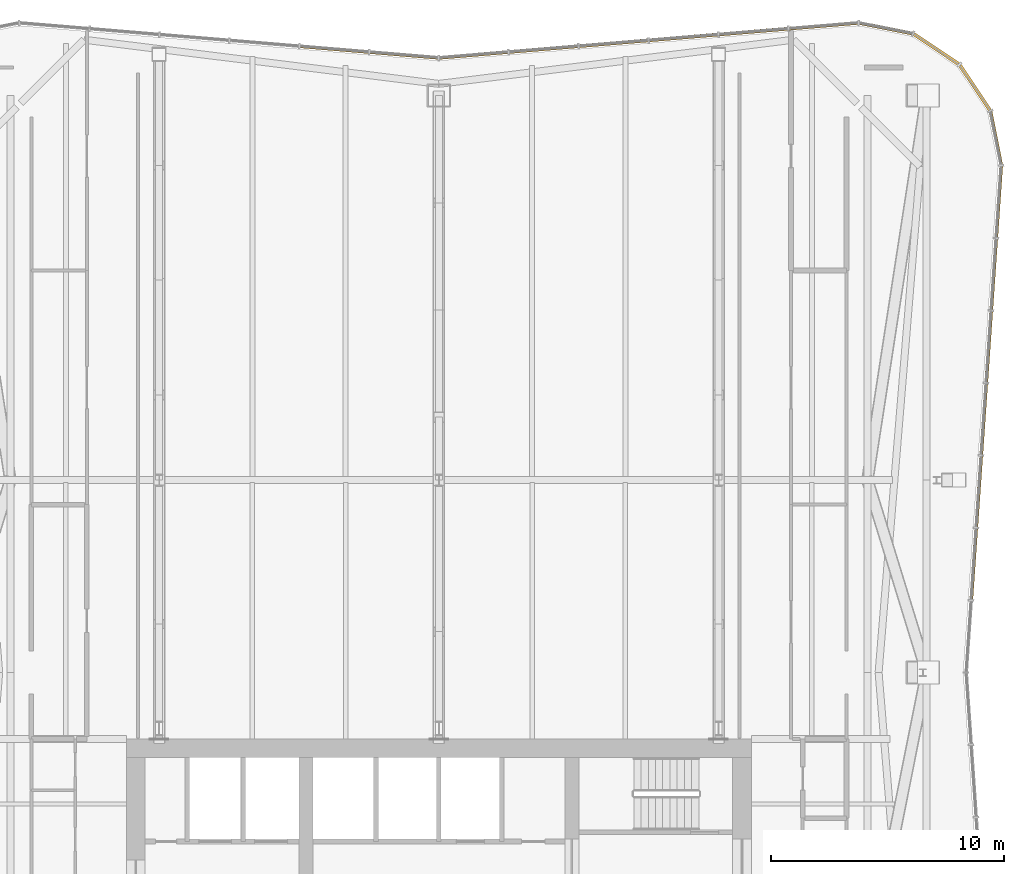
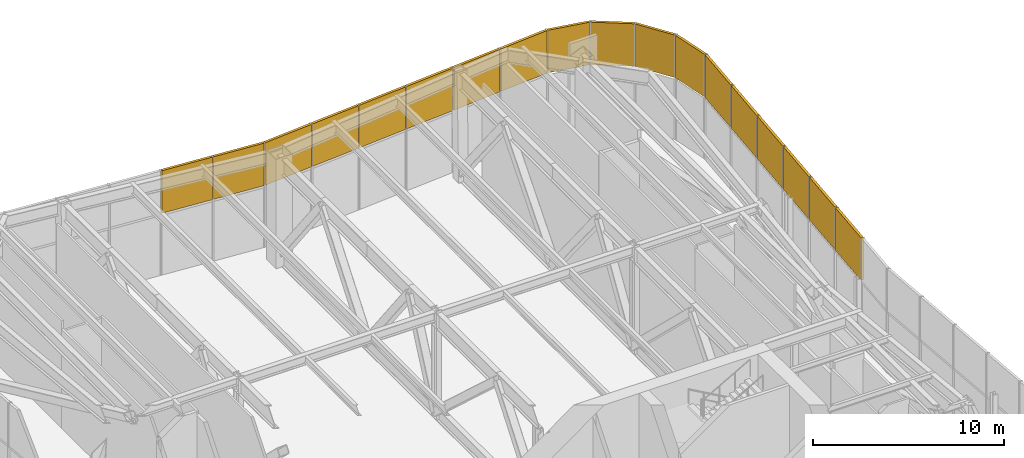
# One storey, part 17 of 17: 18 shading devices, 3 elements without a shape of their own.
"""IFC4 building model written with IfcOpenShell, lengths in metres."""

from ifc_helpers import new_model, si_unit, direction, frame, origin, origin_2d, place, context, subcontext, project, spatial, rectangle, extrude, material, layer, layer_set, type_object, element, aggregate, save


model = new_model("IFC4")

# Units and contexts
model_context = context("Model", 3, precision=1e-05, world=origin(), true_north=direction((0.0, 1.0)))
body_context = subcontext(model_context, "Body", "Model", "MODEL_VIEW")
ifc_project = project(units=[si_unit("LENGTHUNIT", "METRE"), si_unit("AREAUNIT", "SQUARE_METRE"), si_unit("VOLUMEUNIT", "CUBIC_METRE"), si_unit("PLANEANGLEUNIT", "RADIAN"), si_unit("MASSUNIT", "GRAM", prefix="KILO")], contexts=[model_context])

# Site, building, storey
site_placement = place(None, origin())
site = spatial("IfcSite", under=ifc_project, at=site_placement, CompositionType="ELEMENT")
building_placement = place(site_placement, origin())
building = spatial("IfcBuilding", under=site, at=building_placement, Name="Verdant Reach Tower", CompositionType="ELEMENT")
storey_placement = place(building_placement, frame((0.0, 0.0, 282.0)))
storey = spatial("IfcBuildingStorey", under=building, at=storey_placement, Name="L65 Plant", CompositionType="ELEMENT", Elevation=282.0)

# Curtain wall, shading devices
ifc_material_1 = material(Name="Anodised aluminium", Category="aluminium")
curtain_wall_type = type_object("IfcCurtainWallType", Name="EN-CW SYSTEM PLANT", PredefinedType="NOTDEFINED", material=ifc_material_1)
curtain_wall_1_placement = place(storey_placement, origin())
curtain_wall_1 = element("IfcCurtainWall", 1, at=curtain_wall_1_placement, inside=storey, type_object=curtain_wall_type, Name="Curtain wall east, L65", PredefinedType="NOTDEFINED")
ifc_material_2 = material(Name="Bronze anodised aluminium louvre", Category="aluminium")
ifc_layer = layer(ifc_material_2, 0.14990234375)
ifc_layer_set = layer_set([ifc_layer], Name="EN-LOUVRE")
shading_device_type = type_object("IfcShadingDeviceType", Name="EN-LOUVRE", PredefinedType="USERDEFINED", material=ifc_layer_set)
shading_device_1_placement = place(storey_placement, frame((22.940185546875, 45.902587890625, 3.925048828125), z_axis=(0.0, 0.0, 1.0), x_axis=(0.068802091615, 0.997630328423, 0.0)))
shading_device_1 = element("IfcShadingDevice", 2, at=shading_device_1_placement, type_object=shading_device_type, Name="Louvre bank east face part 2 2, L65", ObjectType="LOUVRE", PredefinedType="USERDEFINED", context=body_context, shape_type="SweptSolid", body=[
    extrude(rectangle(XDim=3.03857421875, YDim=0.14990234375, at=origin_2d()), origin(), (0.0, 0.0, 1.0), 2.72509765625),
])
shading_device_2_placement = place(storey_placement, frame((23.154541015625, 49.009765625, 3.925048828125), z_axis=(0.0, 0.0, 1.0), x_axis=(0.068802091615, 0.997630328423, 0.0)))
shading_device_2 = element("IfcShadingDevice", 3, at=shading_device_2_placement, type_object=shading_device_type, Name="Louvre bank east face part 2 3, L65", ObjectType="LOUVRE", PredefinedType="USERDEFINED", context=body_context, shape_type="SweptSolid", body=[
    extrude(rectangle(XDim=3.03857421875, YDim=0.14990234375, at=origin_2d()), origin(), (0.0, 0.0, 1.0), 2.72509765625),
])
shading_device_3_placement = place(storey_placement, frame((23.36865234375, 52.11669921875, 3.925048828125), z_axis=(0.0, 0.0, 1.0), x_axis=(0.068802091615, 0.997630328423, 0.0)))
shading_device_3 = element("IfcShadingDevice", 4, at=shading_device_3_placement, type_object=shading_device_type, Name="Louvre bank east face part 2 4, L65", ObjectType="LOUVRE", PredefinedType="USERDEFINED", context=body_context, shape_type="SweptSolid", body=[
    extrude(rectangle(XDim=3.03857421875, YDim=0.14990234375, at=origin_2d()), origin(), (0.0, 0.0, 1.0), 2.72509765625),
])
shading_device_4_placement = place(storey_placement, frame((23.5830078125, 55.223876953125, 3.925048828125), z_axis=(0.0, 0.0, 1.0), x_axis=(0.068802091615, 0.997630328423, 0.0)))
shading_device_4 = element("IfcShadingDevice", 5, at=shading_device_4_placement, type_object=shading_device_type, Name="Louvre bank east face part 2 5, L65", ObjectType="LOUVRE", PredefinedType="USERDEFINED", context=body_context, shape_type="SweptSolid", body=[
    extrude(rectangle(XDim=3.03857421875, YDim=0.14990234375, at=origin_2d()), origin(), (0.0, 0.0, 1.0), 2.72509765625),
])
shading_device_5_placement = place(storey_placement, frame((23.79736328125, 58.3310546875, 3.925048828125), z_axis=(0.0, 0.0, 1.0), x_axis=(0.068802091615, 0.997630328423, 0.0)))
shading_device_5 = element("IfcShadingDevice", 6, at=shading_device_5_placement, type_object=shading_device_type, Name="Louvre bank east face part 2 6, L65", ObjectType="LOUVRE", PredefinedType="USERDEFINED", context=body_context, shape_type="SweptSolid", body=[
    extrude(rectangle(XDim=3.03857421875, YDim=0.14990234375, at=origin_2d()), origin(), (0.0, 0.0, 1.0), 2.72509765625),
])
shading_device_6_placement = place(storey_placement, frame((24.011474609375, 61.446044921875, 3.925048828125), z_axis=(0.0, 0.0, 1.0), x_axis=(0.068469163133, 0.997653233193, 0.0)))
shading_device_6 = element("IfcShadingDevice", 7, at=shading_device_6_placement, type_object=shading_device_type, Name="Louvre bank east face part 2 7, L65", ObjectType="LOUVRE", PredefinedType="USERDEFINED", context=body_context, shape_type="SweptSolid", body=[
    extrude(rectangle(XDim=3.05419921875, YDim=0.14990234375, at=origin_2d()), origin(), (0.0, 0.0, 1.0), 2.72509765625),
])
aggregate(curtain_wall_1, [shading_device_1, shading_device_2, shading_device_3, shading_device_4, shading_device_5, shading_device_6])

curtain_wall_2_placement = place(storey_placement, origin())
curtain_wall_2 = element("IfcCurtainWall", 8, at=curtain_wall_2_placement, inside=storey, type_object=curtain_wall_type, Name="Curtain wall north-east corner, L65", PredefinedType="NOTDEFINED")
shading_device_7_placement = place(storey_placement, frame((23.885986328125, 64.174560546875, 3.925048828125), z_axis=(0.0, 0.0, 1.0), x_axis=(-0.195592962334, 0.980685165119, 0.0)))
shading_device_7 = element("IfcShadingDevice", 9, at=shading_device_7_placement, type_object=shading_device_type, Name="Louvre bank north-east corner 1, L65", ObjectType="LOUVRE", PredefinedType="USERDEFINED", context=body_context, shape_type="SweptSolid", body=[
    extrude(rectangle(XDim=2.303955078125, YDim=0.14990234375, at=origin_2d()), origin(), (0.0, 0.0, 1.0), 2.72509765625),
])
shading_device_8_placement = place(storey_placement, frame((22.989990234375, 66.334228515625, 3.925048828125), z_axis=(0.0, 0.0, 1.0), x_axis=(-0.555596466265, 0.83145208321, 0.0)))
shading_device_8 = element("IfcShadingDevice", 10, at=shading_device_8_placement, type_object=shading_device_type, Name="Louvre bank north-east corner 2, L65", ObjectType="LOUVRE", PredefinedType="USERDEFINED", context=body_context, shape_type="SweptSolid", body=[
    extrude(rectangle(XDim=2.3115234375, YDim=0.14990234375, at=origin_2d()), origin(), (0.0, 0.0, 1.0), 2.72509765625),
])
shading_device_9_placement = place(storey_placement, frame((21.334228515625, 67.989990234375, 3.925048828125), z_axis=(0.0, 0.0, 1.0), x_axis=(-0.83145208321, 0.555596466265, 0.0)))
shading_device_9 = element("IfcShadingDevice", 11, at=shading_device_9_placement, type_object=shading_device_type, Name="Louvre bank north-east corner 3, L65", ObjectType="LOUVRE", PredefinedType="USERDEFINED", context=body_context, shape_type="SweptSolid", body=[
    extrude(rectangle(XDim=2.3115234375, YDim=0.14990234375, at=origin_2d()), origin(), (0.0, 0.0, 1.0), 2.72509765625),
])
shading_device_10_placement = place(storey_placement, frame((19.174072265625, 68.885986328125, 3.925048828125), z_axis=(0.0, 0.0, 1.0), x_axis=(-0.980694678629, 0.195545256419, 0.0)))
shading_device_10 = element("IfcShadingDevice", 12, at=shading_device_10_placement, type_object=shading_device_type, Name="Louvre bank north-east corner 4, L65", ObjectType="LOUVRE", PredefinedType="USERDEFINED", context=body_context, shape_type="SweptSolid", body=[
    extrude(rectangle(XDim=2.304931640625, YDim=0.14990234375, at=origin_2d()), origin(), (0.0, 0.0, 1.0), 2.72509765625),
])
aggregate(curtain_wall_2, [shading_device_7, shading_device_8, shading_device_9, shading_device_10])

curtain_wall_3_placement = place(storey_placement, origin())
curtain_wall_3 = element("IfcCurtainWall", 13, at=curtain_wall_3_placement, inside=storey, type_object=curtain_wall_type, Name="Curtain wall north, L65", PredefinedType="NOTDEFINED")
shading_device_11_placement = place(storey_placement, frame((16.49853515625, 68.99365234375, 3.925048828125), z_axis=(0.0, 0.0, 1.0), x_axis=(-0.996577509664, -0.082663578629, 0.0)))
shading_device_11 = element("IfcShadingDevice", 14, at=shading_device_11_placement, type_object=shading_device_type, Name="Louvre bank north face part 1 1, L65", ObjectType="LOUVRE", PredefinedType="USERDEFINED", context=body_context, shape_type="SweptSolid", body=[
    extrude(rectangle(XDim=2.950927734375, YDim=0.14990234375, at=origin_2d()), origin(), (0.0, 0.0, 1.0), 2.72509765625),
])
shading_device_12_placement = place(storey_placement, frame((13.490234375, 68.74365234375, 3.925048828125), z_axis=(0.0, 0.0, 1.0), x_axis=(-0.996545758244, -0.083045479859, 0.0)))
shading_device_12 = element("IfcShadingDevice", 15, at=shading_device_12_placement, type_object=shading_device_type, Name="Louvre bank north face part 1 2, L65", ObjectType="LOUVRE", PredefinedType="USERDEFINED", context=body_context, shape_type="SweptSolid", body=[
    extrude(rectangle(XDim=2.934326171875, YDim=0.14990234375, at=origin_2d()), origin(), (0.0, 0.0, 1.0), 2.72509765625),
])
shading_device_13_placement = place(storey_placement, frame((10.490234375, 68.49365234375, 3.925048828125), z_axis=(0.0, 0.0, 1.0), x_axis=(-0.996545758244, -0.083045479859, 0.0)))
shading_device_13 = element("IfcShadingDevice", 16, at=shading_device_13_placement, type_object=shading_device_type, Name="Louvre bank north face part 1 3, L65", ObjectType="LOUVRE", PredefinedType="USERDEFINED", context=body_context, shape_type="SweptSolid", body=[
    extrude(rectangle(XDim=2.934326171875, YDim=0.14990234375, at=origin_2d()), origin(), (0.0, 0.0, 1.0), 2.72509765625),
])
shading_device_14_placement = place(storey_placement, frame((7.490234375, 68.24365234375, 3.925048828125), z_axis=(0.0, 0.0, 1.0), x_axis=(-0.996545758244, -0.083045479859, 0.0)))
shading_device_14 = element("IfcShadingDevice", 17, at=shading_device_14_placement, type_object=shading_device_type, Name="Louvre bank north face part 1 4, L65", ObjectType="LOUVRE", PredefinedType="USERDEFINED", context=body_context, shape_type="SweptSolid", body=[
    extrude(rectangle(XDim=2.934326171875, YDim=0.14990234375, at=origin_2d()), origin(), (0.0, 0.0, 1.0), 2.72509765625),
])
shading_device_15_placement = place(storey_placement, frame((4.490234375, 67.99365234375, 3.925048828125), z_axis=(0.0, 0.0, 1.0), x_axis=(-0.996545758244, -0.083045479859, 0.0)))
shading_device_15 = element("IfcShadingDevice", 18, at=shading_device_15_placement, type_object=shading_device_type, Name="Louvre bank north face part 1 5, L65", ObjectType="LOUVRE", PredefinedType="USERDEFINED", context=body_context, shape_type="SweptSolid", body=[
    extrude(rectangle(XDim=2.934326171875, YDim=0.14990234375, at=origin_2d()), origin(), (0.0, 0.0, 1.0), 2.72509765625),
])
shading_device_16_placement = place(storey_placement, frame((1.4951171875, 67.743896484375, 3.925048828125), z_axis=(0.0, 0.0, 1.0), x_axis=(-0.996534372104, -0.083182000546, 0.0)))
shading_device_16 = element("IfcShadingDevice", 19, at=shading_device_16_placement, type_object=shading_device_type, Name="Louvre bank north face part 1 6, L65", ObjectType="LOUVRE", PredefinedType="USERDEFINED", context=body_context, shape_type="SweptSolid", body=[
    extrude(rectangle(XDim=2.924560546875, YDim=0.14990234375, at=origin_2d()), origin(), (0.0, 0.0, 1.0), 2.72509765625),
])
shading_device_17_placement = place(storey_placement, frame((-1.4951171875, 67.743896484375, 3.925048828125), z_axis=(0.0, 0.0, 1.0), x_axis=(-0.996534372104, 0.083182000546, 0.0)))
shading_device_17 = element("IfcShadingDevice", 20, at=shading_device_17_placement, type_object=shading_device_type, Name="Louvre bank north face part 2 1, L65", ObjectType="LOUVRE", PredefinedType="USERDEFINED", context=body_context, shape_type="SweptSolid", body=[
    extrude(rectangle(XDim=2.924560546875, YDim=0.14990234375, at=origin_2d()), origin(), (0.0, 0.0, 1.0), 2.72509765625),
])
shading_device_18_placement = place(storey_placement, frame((-4.490234375, 67.99365234375, 3.925048828125), z_axis=(0.0, 0.0, 1.0), x_axis=(-0.996545758244, 0.083045479859, 0.0)))
shading_device_18 = element("IfcShadingDevice", 21, at=shading_device_18_placement, type_object=shading_device_type, Name="Louvre bank north face part 2 2, L65", ObjectType="LOUVRE", PredefinedType="USERDEFINED", context=body_context, shape_type="SweptSolid", body=[
    extrude(rectangle(XDim=2.934326171875, YDim=0.14990234375, at=origin_2d()), origin(), (0.0, 0.0, 1.0), 2.72509765625),
])
aggregate(curtain_wall_3, [shading_device_11, shading_device_12, shading_device_13, shading_device_14, shading_device_15, shading_device_16, shading_device_17, shading_device_18])

save(model, "model.ifc")
